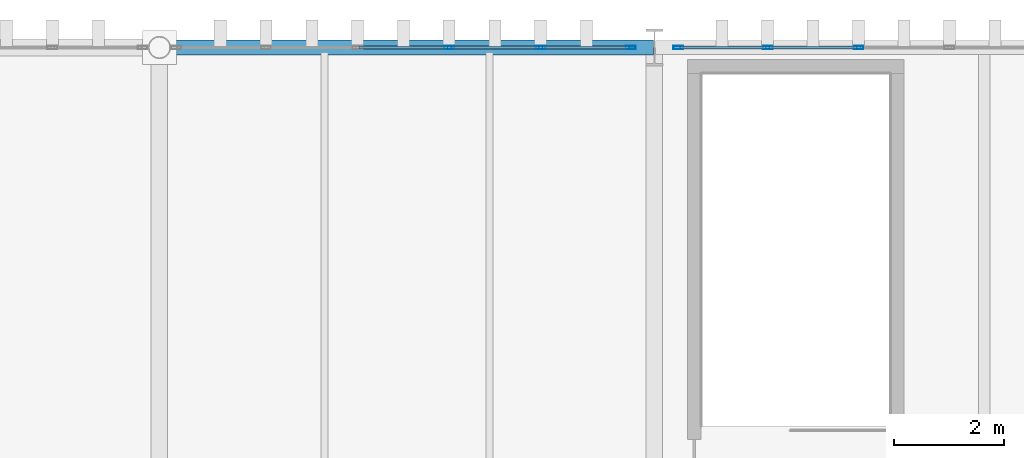
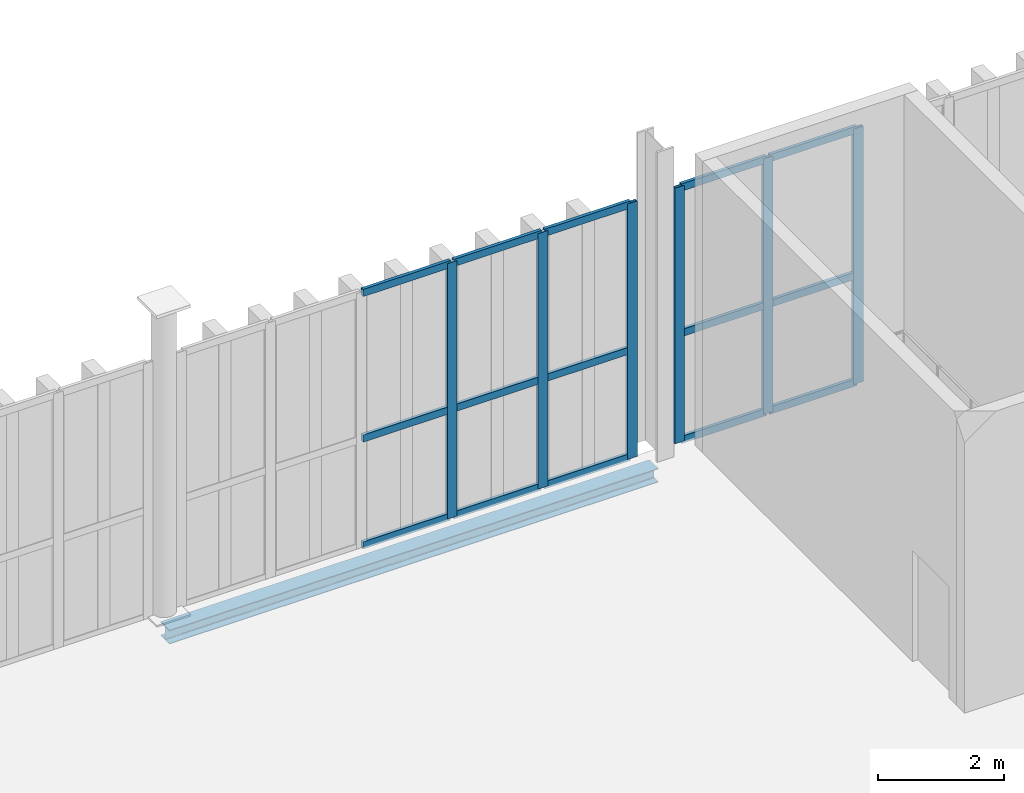
# One storey, part 142 of 211: 21 members, 1 beam, 2 elements without a shape of their own.
"""IFC4 building model written with IfcOpenShell, lengths in metres."""

from ifc_helpers import new_model, si_unit, direction, frame, origin, origin_2d, place, context, subcontext, project, spatial, hollow_rectangle, i_section, extrude, material, layer, layer_set, material_profile, profile_set, type_object, element, aggregate, save


model = new_model("IFC4")

# Units and contexts
model_context = context("Model", 3, precision=1e-05, world=origin(), true_north=direction((0.0, 1.0)))
body_context = subcontext(model_context, "Body", "Model", "MODEL_VIEW")
ifc_project = project(units=[si_unit("LENGTHUNIT", "METRE"), si_unit("AREAUNIT", "SQUARE_METRE"), si_unit("VOLUMEUNIT", "CUBIC_METRE"), si_unit("PLANEANGLEUNIT", "RADIAN"), si_unit("MASSUNIT", "GRAM", prefix="KILO")], contexts=[model_context])

# Site, building, storey
site_placement = place(None, origin())
site = spatial("IfcSite", under=ifc_project, at=site_placement, CompositionType="ELEMENT")
building_placement = place(site_placement, origin())
building = spatial("IfcBuilding", under=site, at=building_placement, Name="Barlavento Convention Centre", CompositionType="ELEMENT")
storey_placement = place(building_placement, frame((0.0, 0.0, 6.0)))
storey = spatial("IfcBuildingStorey", under=building, at=storey_placement, Name="L01", CompositionType="ELEMENT", Elevation=6.0)

# Curtain wall, members
ifc_material_1 = material(Name="Powder-coated aluminium and Low-E glass", Category="aluminium")
ifc_layer = layer(ifc_material_1, 0.179931640625)
ifc_layer_set = layer_set([ifc_layer], Name="ARC-CW-EXH-L01")
curtain_wall_type = type_object("IfcCurtainWallType", Name="ARC-CW-EXH-L01", PredefinedType="NOTDEFINED", material=ifc_layer_set)
curtain_wall_1_placement = place(storey_placement, origin())
curtain_wall_1 = element("IfcCurtainWall", 1, at=curtain_wall_1_placement, inside=storey, type_object=curtain_wall_type, Name="L01 unitised curtain wall CW04", PredefinedType="NOTDEFINED")
ifc_material_2 = material(Name="Powder-coated aluminium", Category="aluminium")
ifc_material_profile_1 = material_profile(ifc_material_2, hollow_rectangle(XDim=0.06005859375, YDim=0.179931640625, WallThickness=0.0048828125, at=origin_2d()), Name="AL-MULL 60x180x5")
ifc_profile_set_1 = profile_set([ifc_material_profile_1], Name="Powder-coated aluminium")
member_type_1 = type_object("IfcMemberType", Name="ARC-CWM-60X180", PredefinedType="MULLION", material=ifc_profile_set_1)
member_1_placement = place(storey_placement, frame((59.266845703125, 135.0, 0.0), z_axis=(0.0, 0.0, 1.0), x_axis=(0.0, 1.0, 0.0)))
member_1 = element("IfcMember", 2, at=member_1_placement, type_object=member_type_1, Name="CW04 mullion 4", PredefinedType="MULLION", context=body_context, shape_type="SweptSolid", body=[
    extrude(hollow_rectangle(XDim=0.06005859375, YDim=0.179931640625, WallThickness=0.0048828125, at=origin_2d()), origin(), (0.0, 0.0, 1.0), 4.949951171875),
])
member_2_placement = place(storey_placement, frame((60.931396484375, 135.0, 0.0), z_axis=(0.0, 0.0, 1.0), x_axis=(0.0, 1.0, 0.0)))
member_2 = element("IfcMember", 3, at=member_2_placement, type_object=member_type_1, Name="CW04 mullion 5", PredefinedType="MULLION", context=body_context, shape_type="SweptSolid", body=[
    extrude(hollow_rectangle(XDim=0.06005859375, YDim=0.179931640625, WallThickness=0.0048828125, at=origin_2d()), origin(), (0.0, 0.0, 1.0), 4.949951171875),
])
member_3_placement = place(storey_placement, frame((62.56591796875, 135.0, 0.0), z_axis=(0.0, 0.0, 1.0), x_axis=(0.0, 1.0, 0.0)))
member_3 = element("IfcMember", 4, at=member_3_placement, type_object=member_type_1, Name="CW04 mullion 6", PredefinedType="MULLION", context=body_context, shape_type="SweptSolid", body=[
    extrude(hollow_rectangle(XDim=0.06005859375, YDim=0.179931640625, WallThickness=0.0048828125, at=origin_2d()), origin(), (0.0, 0.0, 1.0), 4.949951171875),
])

curtain_wall_2_placement = place(storey_placement, origin())
curtain_wall_2 = element("IfcCurtainWall", 5, at=curtain_wall_2_placement, inside=storey, type_object=curtain_wall_type, Name="L01 unitised curtain wall CW04", PredefinedType="NOTDEFINED")
member_4_placement = place(storey_placement, frame((63.43408203125, 135.0, 0.0), z_axis=(0.0, 0.0, 1.0), x_axis=(0.0, 1.0, 0.0)))
member_4 = element("IfcMember", 6, at=member_4_placement, type_object=member_type_1, Name="CW04 mullion 1", PredefinedType="MULLION", context=body_context, shape_type="SweptSolid", body=[
    extrude(hollow_rectangle(XDim=0.06005859375, YDim=0.179931640625, WallThickness=0.0048828125, at=origin_2d()), origin(), (0.0, 0.0, 1.0), 4.949951171875),
])
member_5_placement = place(storey_placement, frame((65.056884765625, 135.0, 0.0), z_axis=(0.0, 0.0, 1.0), x_axis=(0.0, 1.0, 0.0)))
member_5 = element("IfcMember", 7, at=member_5_placement, type_object=member_type_1, Name="CW04 mullion 2", PredefinedType="MULLION", context=body_context, shape_type="SweptSolid", body=[
    extrude(hollow_rectangle(XDim=0.06005859375, YDim=0.179931640625, WallThickness=0.0048828125, at=origin_2d()), origin(), (0.0, 0.0, 1.0), 4.949951171875),
])
member_6_placement = place(storey_placement, frame((66.709716796875, 135.0, 0.0), z_axis=(0.0, 0.0, 1.0), x_axis=(0.0, 1.0, 0.0)))
member_6 = element("IfcMember", 8, at=member_6_placement, type_object=member_type_1, Name="CW04 mullion 3", PredefinedType="MULLION", context=body_context, shape_type="SweptSolid", body=[
    extrude(hollow_rectangle(XDim=0.06005859375, YDim=0.179931640625, WallThickness=0.0048828125, at=origin_2d()), origin(), (0.0, 0.0, 1.0), 4.949951171875),
])

# Member
ifc_material_profile_2 = material_profile(ifc_material_2, hollow_rectangle(XDim=0.06005859375, YDim=0.139892578125, WallThickness=0.00390625, at=origin_2d()), Name="AL-TRAN 60x140x4")
ifc_profile_set_2 = profile_set([ifc_material_profile_2], Name="Powder-coated aluminium")
member_type_2 = type_object("IfcMemberType", Name="ARC-CWT-60X140", PredefinedType="USERDEFINED", material=ifc_profile_set_2)
member_7_placement = place(storey_placement, frame((57.63232421875, 135.0, 0.030029296875), z_axis=(1.0, 0.0, 0.0), x_axis=(0.0, 1.0, 0.0)))
member_7 = element("IfcMember", 9, at=member_7_placement, type_object=member_type_2, Name="CW04 transom 3.1", ObjectType="TRANSOM", PredefinedType="USERDEFINED", context=body_context, shape_type="SweptSolid", body=[
    extrude(hollow_rectangle(XDim=0.06005859375, YDim=0.139892578125, WallThickness=0.00390625, at=origin_2d()), origin(), (0.0, 0.0, 1.0), 1.6044921875),
])

member_8_placement = place(storey_placement, frame((57.63232421875, 135.0, 2.10009765625), z_axis=(1.0, 0.0, 0.0), x_axis=(0.0, 1.0, 0.0)))
member_8 = element("IfcMember", 10, at=member_8_placement, type_object=member_type_2, Name="CW04 transom 3.2", ObjectType="TRANSOM", PredefinedType="USERDEFINED", context=body_context, shape_type="SweptSolid", body=[
    extrude(hollow_rectangle(XDim=0.06005859375, YDim=0.139892578125, WallThickness=0.00390625, at=origin_2d()), origin(), (0.0, 0.0, 1.0), 1.6044921875),
])

member_9_placement = place(storey_placement, frame((57.63232421875, 135.0, 4.919921875), z_axis=(1.0, 0.0, 0.0), x_axis=(0.0, 1.0, 0.0)))
member_9 = element("IfcMember", 11, at=member_9_placement, type_object=member_type_2, Name="CW04 transom 3.3", ObjectType="TRANSOM", PredefinedType="USERDEFINED", context=body_context, shape_type="SweptSolid", body=[
    extrude(hollow_rectangle(XDim=0.06005859375, YDim=0.139892578125, WallThickness=0.00390625, at=origin_2d()), origin(), (0.0, 0.0, 1.0), 1.6044921875),
])

member_10_placement = place(storey_placement, frame((59.296875, 135.0, 0.030029296875), z_axis=(1.0, 0.0, 0.0), x_axis=(0.0, 1.0, 0.0)))
member_10 = element("IfcMember", 12, at=member_10_placement, type_object=member_type_2, Name="CW04 transom 4.1", ObjectType="TRANSOM", PredefinedType="USERDEFINED", context=body_context, shape_type="SweptSolid", body=[
    extrude(hollow_rectangle(XDim=0.06005859375, YDim=0.139892578125, WallThickness=0.00390625, at=origin_2d()), origin(), (0.0, 0.0, 1.0), 1.6044921875),
])

member_11_placement = place(storey_placement, frame((59.296875, 135.0, 2.10009765625), z_axis=(1.0, 0.0, 0.0), x_axis=(0.0, 1.0, 0.0)))
member_11 = element("IfcMember", 13, at=member_11_placement, type_object=member_type_2, Name="CW04 transom 4.2", ObjectType="TRANSOM", PredefinedType="USERDEFINED", context=body_context, shape_type="SweptSolid", body=[
    extrude(hollow_rectangle(XDim=0.06005859375, YDim=0.139892578125, WallThickness=0.00390625, at=origin_2d()), origin(), (0.0, 0.0, 1.0), 1.6044921875),
])

member_12_placement = place(storey_placement, frame((59.296875, 135.0, 4.919921875), z_axis=(1.0, 0.0, 0.0), x_axis=(0.0, 1.0, 0.0)))
member_12 = element("IfcMember", 14, at=member_12_placement, type_object=member_type_2, Name="CW04 transom 4.3", ObjectType="TRANSOM", PredefinedType="USERDEFINED", context=body_context, shape_type="SweptSolid", body=[
    extrude(hollow_rectangle(XDim=0.06005859375, YDim=0.139892578125, WallThickness=0.00390625, at=origin_2d()), origin(), (0.0, 0.0, 1.0), 1.6044921875),
])

member_13_placement = place(storey_placement, frame((60.96142578125, 135.0, 0.030029296875), z_axis=(1.0, 0.0, 0.0), x_axis=(0.0, 1.0, 0.0)))
member_13 = element("IfcMember", 15, at=member_13_placement, type_object=member_type_2, Name="CW04 transom 5.1", ObjectType="TRANSOM", PredefinedType="USERDEFINED", context=body_context, shape_type="SweptSolid", body=[
    extrude(hollow_rectangle(XDim=0.06005859375, YDim=0.139892578125, WallThickness=0.00390625, at=origin_2d()), origin(), (0.0, 0.0, 1.0), 1.574462890625),
])

member_14_placement = place(storey_placement, frame((60.96142578125, 135.0, 2.10009765625), z_axis=(1.0, 0.0, 0.0), x_axis=(0.0, 1.0, 0.0)))
member_14 = element("IfcMember", 16, at=member_14_placement, type_object=member_type_2, Name="CW04 transom 5.2", ObjectType="TRANSOM", PredefinedType="USERDEFINED", context=body_context, shape_type="SweptSolid", body=[
    extrude(hollow_rectangle(XDim=0.06005859375, YDim=0.139892578125, WallThickness=0.00390625, at=origin_2d()), origin(), (0.0, 0.0, 1.0), 1.574462890625),
])

member_15_placement = place(storey_placement, frame((60.96142578125, 135.0, 4.919921875), z_axis=(1.0, 0.0, 0.0), x_axis=(0.0, 1.0, 0.0)))
member_15 = element("IfcMember", 17, at=member_15_placement, type_object=member_type_2, Name="CW04 transom 5.3", ObjectType="TRANSOM", PredefinedType="USERDEFINED", context=body_context, shape_type="SweptSolid", body=[
    extrude(hollow_rectangle(XDim=0.06005859375, YDim=0.139892578125, WallThickness=0.00390625, at=origin_2d()), origin(), (0.0, 0.0, 1.0), 1.574462890625),
])

aggregate(curtain_wall_1, [member_1, member_2, member_3, member_7, member_8, member_9, member_10, member_11, member_12, member_13, member_14, member_15])

member_16_placement = place(storey_placement, frame((63.464111328125, 135.0, 0.030029296875), z_axis=(1.0, 0.0, 0.0), x_axis=(0.0, 1.0, 0.0)))
member_16 = element("IfcMember", 18, at=member_16_placement, type_object=member_type_2, Name="CW04 transom 1.1", ObjectType="TRANSOM", PredefinedType="USERDEFINED", context=body_context, shape_type="SweptSolid", body=[
    extrude(hollow_rectangle(XDim=0.06005859375, YDim=0.139892578125, WallThickness=0.00390625, at=origin_2d()), origin(), (0.0, 0.0, 1.0), 1.562744140625),
])

member_17_placement = place(storey_placement, frame((63.464111328125, 135.0, 2.10009765625), z_axis=(1.0, 0.0, 0.0), x_axis=(0.0, 1.0, 0.0)))
member_17 = element("IfcMember", 19, at=member_17_placement, type_object=member_type_2, Name="CW04 transom 1.2", ObjectType="TRANSOM", PredefinedType="USERDEFINED", context=body_context, shape_type="SweptSolid", body=[
    extrude(hollow_rectangle(XDim=0.06005859375, YDim=0.139892578125, WallThickness=0.00390625, at=origin_2d()), origin(), (0.0, 0.0, 1.0), 1.562744140625),
])

member_18_placement = place(storey_placement, frame((63.464111328125, 135.0, 4.919921875), z_axis=(1.0, 0.0, 0.0), x_axis=(0.0, 1.0, 0.0)))
member_18 = element("IfcMember", 20, at=member_18_placement, type_object=member_type_2, Name="CW04 transom 1.3", ObjectType="TRANSOM", PredefinedType="USERDEFINED", context=body_context, shape_type="SweptSolid", body=[
    extrude(hollow_rectangle(XDim=0.06005859375, YDim=0.139892578125, WallThickness=0.00390625, at=origin_2d()), origin(), (0.0, 0.0, 1.0), 1.562744140625),
])

member_19_placement = place(storey_placement, frame((65.0869140625, 135.0, 0.030029296875), z_axis=(1.0, 0.0, 0.0), x_axis=(0.0, 1.0, 0.0)))
member_19 = element("IfcMember", 21, at=member_19_placement, type_object=member_type_2, Name="CW04 transom 2.1", ObjectType="TRANSOM", PredefinedType="USERDEFINED", context=body_context, shape_type="SweptSolid", body=[
    extrude(hollow_rectangle(XDim=0.06005859375, YDim=0.139892578125, WallThickness=0.00390625, at=origin_2d()), origin(), (0.0, 0.0, 1.0), 1.5927734375),
])

member_20_placement = place(storey_placement, frame((65.0869140625, 135.0, 2.10009765625), z_axis=(1.0, 0.0, 0.0), x_axis=(0.0, 1.0, 0.0)))
member_20 = element("IfcMember", 22, at=member_20_placement, type_object=member_type_2, Name="CW04 transom 2.2", ObjectType="TRANSOM", PredefinedType="USERDEFINED", context=body_context, shape_type="SweptSolid", body=[
    extrude(hollow_rectangle(XDim=0.06005859375, YDim=0.139892578125, WallThickness=0.00390625, at=origin_2d()), origin(), (0.0, 0.0, 1.0), 1.5927734375),
])

member_21_placement = place(storey_placement, frame((65.0869140625, 135.0, 4.919921875), z_axis=(1.0, 0.0, 0.0), x_axis=(0.0, 1.0, 0.0)))
member_21 = element("IfcMember", 23, at=member_21_placement, type_object=member_type_2, Name="CW04 transom 2.3", ObjectType="TRANSOM", PredefinedType="USERDEFINED", context=body_context, shape_type="SweptSolid", body=[
    extrude(hollow_rectangle(XDim=0.06005859375, YDim=0.139892578125, WallThickness=0.00390625, at=origin_2d()), origin(), (0.0, 0.0, 1.0), 1.5927734375),
])

aggregate(curtain_wall_2, [member_4, member_5, member_6, member_16, member_17, member_18, member_19, member_20, member_21])

# Beam
ifc_material_3 = material(Name="Steel S355", Category="steel")
ifc_material_profile_3 = material_profile(ifc_material_3, i_section(OverallWidth=0.280029296875, OverallDepth=0.27001953125, WebThickness=0.008056640625, FlangeThickness=0.012939453125, FilletRadius=0.02392578125, at=origin_2d()), Name="HEA 280")
ifc_profile_set_3 = profile_set([ifc_material_profile_3], Name="Steel S355")
beam_type = type_object("IfcBeamType", Name="STR-BM-SPN-HEA280", PredefinedType="SPANDREL", material=ifc_profile_set_3)
beam_placement = place(storey_placement, frame((54.02001953125, 135.0, -0.4150390625), z_axis=(1.0, 0.0, 0.0), x_axis=(0.0, 1.0, 0.0)))
element("IfcBeam", 24, at=beam_placement, inside=storey, type_object=beam_type, Name="L01 primary girder SP03", PredefinedType="SPANDREL", context=body_context, shape_type="SweptSolid", body=[
    extrude(i_section(OverallWidth=0.280029296875, OverallDepth=0.27001953125, WebThickness=0.008056640625, FlangeThickness=0.012939453125, FilletRadius=0.02392578125, at=origin_2d()), origin(), (0.0, 0.0, 1.0), 8.9599609375),
])

save(model, "model.ifc")
